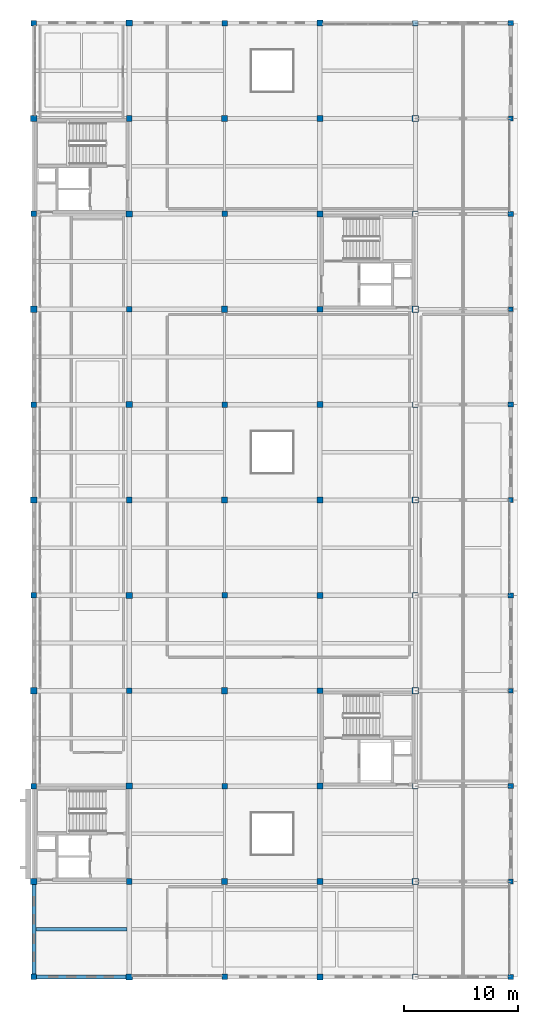
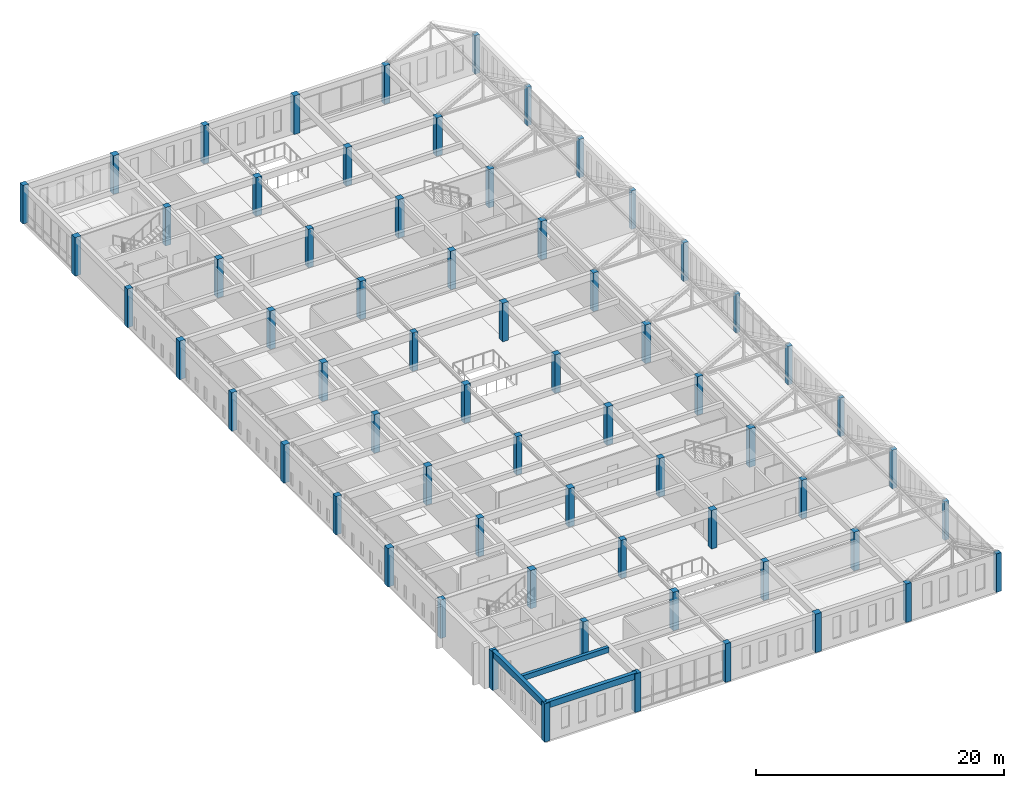
# One storey, part 1 of 36: 66 columns, 3 beams.
"""IFC4 building model written with IfcOpenShell, lengths in metres."""

from ifc_helpers import new_model, si_unit, direction, frame, origin, origin_2d, place, context, subcontext, project, spatial, rectangle, extrude, material, material_profile, profile_set, type_object, element, save


model = new_model("IFC4")

# Units and contexts
model_context = context("Model", 3, precision=1e-05, world=origin(), true_north=direction((0.0, 1.0)))
body_context = subcontext(model_context, "Body", "Model", "MODEL_VIEW")
ifc_project = project(units=[si_unit("LENGTHUNIT", "METRE"), si_unit("AREAUNIT", "SQUARE_METRE"), si_unit("VOLUMEUNIT", "CUBIC_METRE"), si_unit("PLANEANGLEUNIT", "RADIAN"), si_unit("MASSUNIT", "GRAM", prefix="KILO")], contexts=[model_context])

# Site, building, storey
site_placement = place(None, origin())
site = spatial("IfcSite", under=ifc_project, at=site_placement, CompositionType="ELEMENT")
building_placement = place(site_placement, origin())
building = spatial("IfcBuilding", under=site, at=building_placement, Name="Kveldsbrygga Polytechnic", CompositionType="ELEMENT")
storey_placement = place(building_placement, frame((0.0, 0.0, 22.10009765625)))
storey = spatial("IfcBuildingStorey", under=building, at=storey_placement, Name="L05", CompositionType="ELEMENT", Elevation=22.10009765625)

# Columns
ifc_material_1 = material(Name="Concrete C45/55", Category="concrete")
ifc_material_profile_1 = material_profile(ifc_material_1, rectangle(XDim=0.39990234375, YDim=0.39990234375, at=origin_2d()), Name="RC 400x400")
ifc_profile_set_1 = profile_set([ifc_material_profile_1], Name="Concrete C45/55")
column_type_1 = type_object("IfcColumnType", Name="COL-RC-400", PredefinedType="COLUMN", material=ifc_profile_set_1)
for number, where, z_axis, x_axis, name in (
    (1, (168.0, 25.199951171875, 0.0), (0.0, 0.0, 1.0), (1.0, 0.0, 0.0), "Column COL-L05-20-03"),
    (2, (168.0, 42.0, 0.0), (0.0, 0.0, 1.0), (1.0, 0.0, 0.0), "Column COL-L05-20-05"),
    (3, (168.0, 58.800048828125, 0.0), (0.0, 0.0, 1.0), (1.0, 0.0, 0.0), "Column COL-L05-20-07"),
    (4, (168.0, 75.60009765625, 0.0), (0.0, 0.0, 1.0), (1.0, 0.0, 0.0), "Column COL-L05-20-09"),
    (5, (168.0, 92.39990234375, 0.0), (0.0, 0.0, 1.0), (1.0, 0.0, 0.0), "Column COL-L05-20-11"),
):
    element("IfcColumn", number, at=place(storey_placement, frame(where, z_axis=z_axis, x_axis=x_axis)), inside=storey, type_object=column_type_1, Name=name, PredefinedType="COLUMN", context=body_context, shape_type="SweptSolid", body=[
        extrude(rectangle(XDim=0.39990234375, YDim=0.39990234375, at=origin_2d()), origin(), (0.0, 0.0, 1.0), 3.77978515625),
    ])
ifc_material_profile_2 = material_profile(ifc_material_1, rectangle(XDim=0.449951171875, YDim=0.449951171875, at=origin_2d()), Name="RC 450x450")
ifc_profile_set_2 = profile_set([ifc_material_profile_2], Name="Concrete C45/55")
column_type_2 = type_object("IfcColumnType", Name="COL-RC-450", PredefinedType="COLUMN", material=ifc_profile_set_2)
for number, where, z_axis, x_axis, name in (
    (6, (168.0, 16.800048828125, 0.0), (0.0, 0.0, 1.0), (1.0, 0.0, 0.0), "Column COL-L05-20-02"),
    (7, (168.0, 33.60009765625, 0.0), (0.0, 0.0, 1.0), (1.0, 0.0, 0.0), "Column COL-L05-20-04"),
    (8, (168.0, 50.39990234375, 0.0), (0.0, 0.0, 1.0), (1.0, 0.0, 0.0), "Column COL-L05-20-06"),
    (9, (168.0, 67.199951171875, 0.0), (0.0, 0.0, 1.0), (1.0, 0.0, 0.0), "Column COL-L05-20-08"),
    (10, (168.0, 84.0, 0.0), (0.0, 0.0, 1.0), (1.0, 0.0, 0.0), "Column COL-L05-20-10"),
    (11, (168.0, 100.800048828125, 0.0), (0.0, 0.0, 1.0), (1.0, 0.0, 0.0), "Column COL-L05-20-12"),
):
    element("IfcColumn", number, at=place(storey_placement, frame(where, z_axis=z_axis, x_axis=x_axis)), inside=storey, type_object=column_type_2, Name=name, PredefinedType="COLUMN", context=body_context, shape_type="SweptSolid", body=[
        extrude(rectangle(XDim=0.449951171875, YDim=0.449951171875, at=origin_2d()), origin(), (0.0, 0.0, 1.0), 3.77978515625),
    ])
ifc_material_profile_3 = material_profile(ifc_material_1, rectangle(XDim=0.5, YDim=0.5, at=origin_2d()), Name="RC 500x500")
ifc_profile_set_3 = profile_set([ifc_material_profile_3], Name="Concrete C45/55")
column_type_3 = type_object("IfcColumnType", Name="COL-RC-500", PredefinedType="COLUMN", material=ifc_profile_set_3)
for number, where, z_axis, x_axis, name in (
    (12, (126.0, 16.800048828125, 0.0), (0.0, 0.0, 1.0), (1.0, 0.0, 0.0), "Column COL-L05-15-02"),
    (13, (126.0, 33.60009765625, 0.0), (0.0, 0.0, 1.0), (1.0, 0.0, 0.0), "Column COL-L05-15-04"),
    (14, (126.0, 50.39990234375, 0.0), (0.0, 0.0, 1.0), (1.0, 0.0, 0.0), "Column COL-L05-15-06"),
    (15, (126.0, 67.199951171875, 0.0), (0.0, 0.0, 1.0), (1.0, 0.0, 0.0), "Column COL-L05-15-08"),
    (16, (126.0, 84.0, 0.0), (0.0, 0.0, 1.0), (1.0, 0.0, 0.0), "Column COL-L05-15-10"),
    (17, (126.0, 100.800048828125, 0.0), (0.0, 0.0, 1.0), (1.0, 0.0, 0.0), "Column COL-L05-15-12"),
    (18, (142.800048828125, 16.800048828125, 0.0), (0.0, 0.0, 1.0), (1.0, 0.0, 0.0), "Column COL-L05-17-02"),
    (19, (142.800048828125, 33.60009765625, 0.0), (0.0, 0.0, 1.0), (1.0, 0.0, 0.0), "Column COL-L05-17-04"),
    (20, (142.800048828125, 50.39990234375, 0.0), (0.0, 0.0, 1.0), (1.0, 0.0, 0.0), "Column COL-L05-17-06"),
    (21, (142.800048828125, 67.199951171875, 0.0), (0.0, 0.0, 1.0), (1.0, 0.0, 0.0), "Column COL-L05-17-08"),
    (22, (142.800048828125, 84.0, 0.0), (0.0, 0.0, 1.0), (1.0, 0.0, 0.0), "Column COL-L05-17-10"),
    (23, (142.800048828125, 100.800048828125, 0.0), (0.0, 0.0, 1.0), (1.0, 0.0, 0.0), "Column COL-L05-17-12"),
    (24, (159.60009765625, 16.800048828125, 0.0), (0.0, 0.0, 1.0), (1.0, 0.0, 0.0), "Column COL-L05-19-02"),
    (25, (159.60009765625, 33.60009765625, 0.0), (0.0, 0.0, 1.0), (1.0, 0.0, 0.0), "Column COL-L05-19-04"),
    (26, (159.60009765625, 50.39990234375, 0.0), (0.0, 0.0, 1.0), (1.0, 0.0, 0.0), "Column COL-L05-19-06"),
    (27, (159.60009765625, 67.199951171875, 0.0), (0.0, 0.0, 1.0), (1.0, 0.0, 0.0), "Column COL-L05-19-08"),
    (28, (159.60009765625, 84.0, 0.0), (0.0, 0.0, 1.0), (1.0, 0.0, 0.0), "Column COL-L05-19-10"),
    (29, (159.60009765625, 100.800048828125, 0.0), (0.0, 0.0, 1.0), (1.0, 0.0, 0.0), "Column COL-L05-19-12"),
):
    element("IfcColumn", number, at=place(storey_placement, frame(where, z_axis=z_axis, x_axis=x_axis)), inside=storey, type_object=column_type_3, Name=name, PredefinedType="COLUMN", context=body_context, shape_type="SweptSolid", body=[
        extrude(rectangle(XDim=0.5, YDim=0.5, at=origin_2d()), origin(), (0.0, 0.0, 1.0), 3.77978515625),
    ])
ifc_material_profile_4 = material_profile(ifc_material_1, rectangle(XDim=0.52001953125, YDim=0.52001953125, at=origin_2d()), Name="RC 520x520")
ifc_profile_set_4 = profile_set([ifc_material_profile_4], Name="Concrete C45/55")
column_type_4 = type_object("IfcColumnType", Name="COL-RC-520", PredefinedType="COLUMN", material=ifc_profile_set_4)
for number, where, z_axis, x_axis, name in (
    (30, (134.39990234375, 25.199951171875, 0.0), (0.0, 0.0, 1.0), (1.0, 0.0, 0.0), "Column COL-L05-16-03"),
    (31, (134.39990234375, 42.0, 0.0), (0.0, 0.0, 1.0), (1.0, 0.0, 0.0), "Column COL-L05-16-05"),
    (32, (134.39990234375, 58.800048828125, 0.0), (0.0, 0.0, 1.0), (1.0, 0.0, 0.0), "Column COL-L05-16-07"),
    (33, (134.39990234375, 75.60009765625, 0.0), (0.0, 0.0, 1.0), (1.0, 0.0, 0.0), "Column COL-L05-16-09"),
    (34, (134.39990234375, 92.39990234375, 0.0), (0.0, 0.0, 1.0), (1.0, 0.0, 0.0), "Column COL-L05-16-11"),
    (35, (151.199951171875, 25.199951171875, 0.0), (0.0, 0.0, 1.0), (1.0, 0.0, 0.0), "Column COL-L05-18-03"),
    (36, (151.199951171875, 42.0, 0.0), (0.0, 0.0, 1.0), (1.0, 0.0, 0.0), "Column COL-L05-18-05"),
    (37, (151.199951171875, 58.800048828125, 0.0), (0.0, 0.0, 1.0), (1.0, 0.0, 0.0), "Column COL-L05-18-07"),
    (38, (151.199951171875, 75.60009765625, 0.0), (0.0, 0.0, 1.0), (1.0, 0.0, 0.0), "Column COL-L05-18-09"),
    (39, (151.199951171875, 92.39990234375, 0.0), (0.0, 0.0, 1.0), (1.0, 0.0, 0.0), "Column COL-L05-18-11"),
):
    element("IfcColumn", number, at=place(storey_placement, frame(where, z_axis=z_axis, x_axis=x_axis)), inside=storey, type_object=column_type_4, Name=name, PredefinedType="COLUMN", context=body_context, shape_type="SweptSolid", body=[
        extrude(rectangle(XDim=0.52001953125, YDim=0.52001953125, at=origin_2d()), origin(), (0.0, 0.0, 1.0), 3.77978515625),
    ])
ifc_material_profile_5 = material_profile(ifc_material_1, rectangle(XDim=0.550048828125, YDim=0.550048828125, at=origin_2d()), Name="RC 550x550")
ifc_profile_set_5 = profile_set([ifc_material_profile_5], Name="Concrete C45/55")
column_type_5 = type_object("IfcColumnType", Name="COL-RC-550", PredefinedType="COLUMN", material=ifc_profile_set_5)
for number, where, z_axis, x_axis, name in (
    (40, (126.0, 25.199951171875, 0.0), (0.0, 0.0, 1.0), (1.0, 0.0, 0.0), "Column COL-L05-15-03"),
    (41, (126.0, 42.0, 0.0), (0.0, 0.0, 1.0), (1.0, 0.0, 0.0), "Column COL-L05-15-05"),
    (42, (126.0, 58.800048828125, 0.0), (0.0, 0.0, 1.0), (1.0, 0.0, 0.0), "Column COL-L05-15-07"),
    (43, (126.0, 75.60009765625, 0.0), (0.0, 0.0, 1.0), (1.0, 0.0, 0.0), "Column COL-L05-15-09"),
    (44, (126.0, 92.39990234375, 0.0), (0.0, 0.0, 1.0), (1.0, 0.0, 0.0), "Column COL-L05-15-11"),
    (45, (134.39990234375, 16.800048828125, 0.0), (0.0, 0.0, 1.0), (1.0, 0.0, 0.0), "Column COL-L05-16-02"),
    (46, (134.39990234375, 33.60009765625, 0.0), (0.0, 0.0, 1.0), (1.0, 0.0, 0.0), "Column COL-L05-16-04"),
    (47, (134.39990234375, 50.39990234375, 0.0), (0.0, 0.0, 1.0), (1.0, 0.0, 0.0), "Column COL-L05-16-06"),
    (48, (134.39990234375, 67.199951171875, 0.0), (0.0, 0.0, 1.0), (1.0, 0.0, 0.0), "Column COL-L05-16-08"),
    (49, (134.39990234375, 84.0, 0.0), (0.0, 0.0, 1.0), (1.0, 0.0, 0.0), "Column COL-L05-16-10"),
    (50, (134.39990234375, 100.800048828125, 0.0), (0.0, 0.0, 1.0), (1.0, 0.0, 0.0), "Column COL-L05-16-12"),
    (51, (142.800048828125, 25.199951171875, 0.0), (0.0, 0.0, 1.0), (1.0, 0.0, 0.0), "Column COL-L05-17-03"),
    (52, (142.800048828125, 42.0, 0.0), (0.0, 0.0, 1.0), (1.0, 0.0, 0.0), "Column COL-L05-17-05"),
    (53, (142.800048828125, 58.800048828125, 0.0), (0.0, 0.0, 1.0), (1.0, 0.0, 0.0), "Column COL-L05-17-07"),
    (54, (142.800048828125, 75.60009765625, 0.0), (0.0, 0.0, 1.0), (1.0, 0.0, 0.0), "Column COL-L05-17-09"),
    (55, (142.800048828125, 92.39990234375, 0.0), (0.0, 0.0, 1.0), (1.0, 0.0, 0.0), "Column COL-L05-17-11"),
    (56, (151.199951171875, 16.800048828125, 0.0), (0.0, 0.0, 1.0), (1.0, 0.0, 0.0), "Column COL-L05-18-02"),
    (57, (151.199951171875, 33.60009765625, 0.0), (0.0, 0.0, 1.0), (1.0, 0.0, 0.0), "Column COL-L05-18-04"),
    (58, (151.199951171875, 50.39990234375, 0.0), (0.0, 0.0, 1.0), (1.0, 0.0, 0.0), "Column COL-L05-18-06"),
    (59, (151.199951171875, 67.199951171875, 0.0), (0.0, 0.0, 1.0), (1.0, 0.0, 0.0), "Column COL-L05-18-08"),
    (60, (151.199951171875, 84.0, 0.0), (0.0, 0.0, 1.0), (1.0, 0.0, 0.0), "Column COL-L05-18-10"),
    (61, (151.199951171875, 100.800048828125, 0.0), (0.0, 0.0, 1.0), (1.0, 0.0, 0.0), "Column COL-L05-18-12"),
    (62, (159.60009765625, 25.199951171875, 0.0), (0.0, 0.0, 1.0), (1.0, 0.0, 0.0), "Column COL-L05-19-03"),
    (63, (159.60009765625, 42.0, 0.0), (0.0, 0.0, 1.0), (1.0, 0.0, 0.0), "Column COL-L05-19-05"),
    (64, (159.60009765625, 58.800048828125, 0.0), (0.0, 0.0, 1.0), (1.0, 0.0, 0.0), "Column COL-L05-19-07"),
    (65, (159.60009765625, 75.60009765625, 0.0), (0.0, 0.0, 1.0), (1.0, 0.0, 0.0), "Column COL-L05-19-09"),
    (66, (159.60009765625, 92.39990234375, 0.0), (0.0, 0.0, 1.0), (1.0, 0.0, 0.0), "Column COL-L05-19-11"),
):
    element("IfcColumn", number, at=place(storey_placement, frame(where, z_axis=z_axis, x_axis=x_axis)), inside=storey, type_object=column_type_5, Name=name, PredefinedType="COLUMN", context=body_context, shape_type="SweptSolid", body=[
        extrude(rectangle(XDim=0.550048828125, YDim=0.550048828125, at=origin_2d()), origin(), (0.0, 0.0, 1.0), 3.77978515625),
    ])

# Beams
ifc_material_2 = material(Name="Concrete C35/45", Category="concrete")
ifc_material_profile_6 = material_profile(ifc_material_2, rectangle(XDim=0.35009765625, YDim=0.60009765625, at=origin_2d()), Name="RC 350x600")
ifc_profile_set_6 = profile_set([ifc_material_profile_6], Name="Concrete C35/45")
beam_type_1 = type_object("IfcBeamType", Name="BM-SPANDREL-600", PredefinedType="T_BEAM", material=ifc_profile_set_6)
for number, where, z_axis, x_axis, name in (
    (67, (126.0, 16.800048828125, 3.47998046875), (1.0, 0.0, 0.0), (0.0, 1.0, 0.0), "Primary Beam BMX-L05-15to16-02"),
    (68, (126.0, 16.800048828125, 3.47998046875), (0.0, 1.0, 0.0), (-1.0, 0.0, 0.0), "Primary Beam BMY-L05-15-02to03"),
):
    element("IfcBeam", number, at=place(storey_placement, frame(where, z_axis=z_axis, x_axis=x_axis)), inside=storey, type_object=beam_type_1, Name=name, PredefinedType="T_BEAM", context=body_context, shape_type="SweptSolid", body=[
        extrude(rectangle(XDim=0.35009765625, YDim=0.60009765625, at=origin_2d()), origin(), (0.0, 0.0, 1.0), 8.39990234375),
    ])
ifc_material_profile_7 = material_profile(ifc_material_2, rectangle(XDim=0.300048828125, YDim=0.5, at=origin_2d()), Name="RC 300x500")
ifc_profile_set_7 = profile_set([ifc_material_profile_7], Name="Concrete C35/45")
beam_type_2 = type_object("IfcBeamType", Name="JST-RC-300x500", PredefinedType="JOIST", material=ifc_profile_set_7)
beam_placement = place(storey_placement, frame((126.175048828125, 21.0, 3.52978515625), z_axis=(1.0, 0.0, 0.0), x_axis=(0.0, 1.0, 0.0)))
element("IfcBeam", 69, at=beam_placement, inside=storey, type_object=beam_type_2, Name="Secondary Joist JST-L05-15-02", PredefinedType="JOIST", context=body_context, shape_type="SweptSolid", body=[
    extrude(rectangle(XDim=0.300048828125, YDim=0.5, at=origin_2d()), origin(), (0.0, 0.0, 1.0), 8.02490234375),
])

save(model, "model.ifc")
